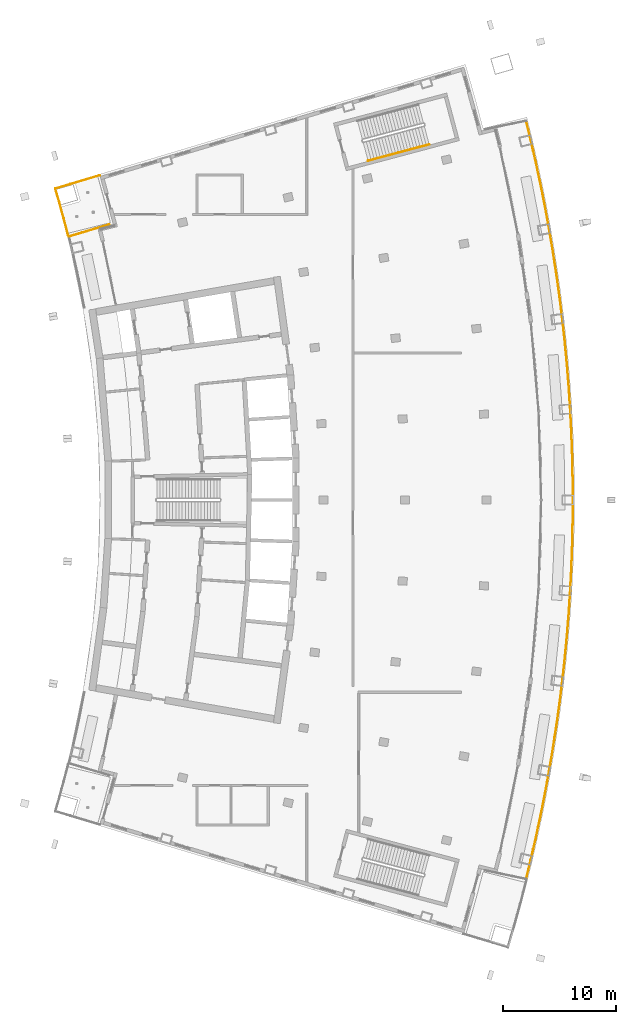
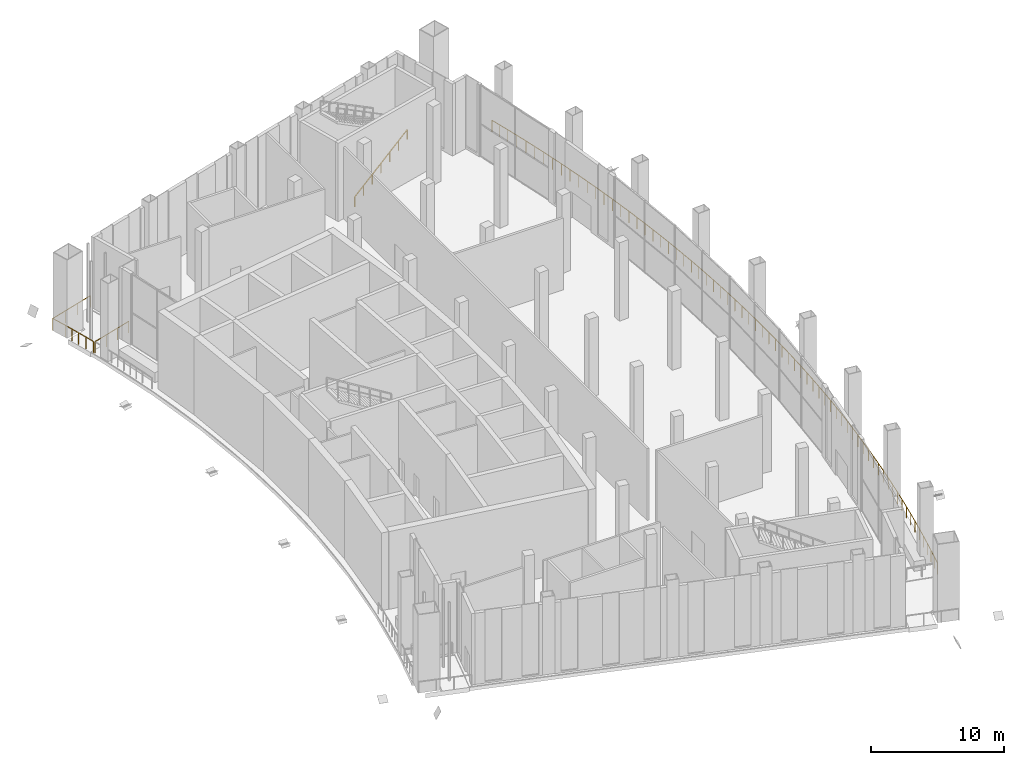
# One storey, part 22 of 24: 4 railings.
"""IFC4 building model written with IfcOpenShell, lengths in metres."""

from ifc_helpers import new_model, si_unit, direction, frame, origin, origin_2d, place, context, subcontext, project, spatial, rectangle, extrude, material, type_object, element, save


model = new_model("IFC4")

# Units and contexts
model_context = context("Model", 3, precision=1e-05, world=origin(), true_north=direction((0.0, 1.0)))
body_context = subcontext(model_context, "Body", "Model", "MODEL_VIEW")
ifc_project = project(units=[si_unit("LENGTHUNIT", "METRE"), si_unit("AREAUNIT", "SQUARE_METRE"), si_unit("VOLUMEUNIT", "CUBIC_METRE"), si_unit("PLANEANGLEUNIT", "RADIAN"), si_unit("MASSUNIT", "GRAM", prefix="KILO")], contexts=[model_context])

# Site, building, storey
site_placement = place(None, origin())
site = spatial("IfcSite", under=ifc_project, at=site_placement, CompositionType="ELEMENT")
building_placement = place(site_placement, origin())
building = spatial("IfcBuilding", under=site, at=building_placement, Name="Alderwake Tower", CompositionType="ELEMENT")
storey_placement = place(building_placement, frame((0.0, 0.0, 232.39990234375)))
storey = spatial("IfcBuildingStorey", under=building, at=storey_placement, Name="L58", CompositionType="ELEMENT", Elevation=232.39990234375)

# Railings
ifc_material_1 = material(Name="Stainless steel 316 rail and posts", Category="steel")
railing_type_1 = type_object("IfcRailingType", Name="Balcony guard 1100", PredefinedType="GUARDRAIL", material=ifc_material_1)
railing_1_placement = place(storey_placement, frame((13.210693359375, 84.387451171875, 0.0)))
element("IfcRailing", 1, at=railing_1_placement, inside=storey, type_object=railing_type_1, Name="Guard terrace RN", PredefinedType="GUARDRAIL", context=body_context, shape_type="SweptSolid", body=[
    extrude(rectangle(XDim=0.048095703125, YDim=0.048095703125, at=origin_2d()), frame((0.0, 0.0, 1.076171875), z_axis=(-0.251385381433, 0.967887075026, 0.0), x_axis=(-0.967887075026, -0.251385381433, 0.0)), (0.0, 0.0, 1.0), 1.6015625),
    extrude(rectangle(XDim=0.048095703125, YDim=0.048095703125, at=origin_2d()), frame((-0.402587890625, 1.550048828125, 1.076171875), z_axis=(-0.266520638672, 0.963829211615, 0.0), x_axis=(-0.963829211615, -0.266520638672, 0.0)), (0.0, 0.0, 1.0), 1.401611328125),
    extrude(rectangle(XDim=0.048095703125, YDim=0.048095703125, at=origin_2d()), frame((-0.776123046875, 2.90087890625, 1.076171875), z_axis=(-0.280093650878, 0.959972680204, 0.0), x_axis=(-0.959972680204, -0.280093650878, 0.0)), (0.0, 0.0, 1.0), 1.30126953125),
    extrude(rectangle(XDim=0.048095703125, YDim=0.048095703125, at=origin_2d()), frame((-1.140625, 4.150146484375, 1.076171875), z_axis=(0.958066871889, 0.286544706789, 0.0), x_axis=(-0.286544706789, 0.958066871889, 0.0)), (0.0, 0.0, 1.0), 4.099853515625),
    extrude(rectangle(XDim=0.0419921875, YDim=0.0419921875, at=origin_2d()), frame((0.0, 0.0, 0.0), z_axis=(0.0, 0.0, 1.0), x_axis=(-0.251385381433, 0.967887075026, 0.0)), (0.0, 0.0, 1.0), 1.052001953125),
    extrude(rectangle(XDim=0.0419921875, YDim=0.0419921875, at=origin_2d()), frame((-0.201171875, 0.77490234375, 0.0), z_axis=(0.0, 0.0, 1.0), x_axis=(-0.251385381433, 0.967887075026, 0.0)), (0.0, 0.0, 1.0), 1.052001953125),
    extrude(rectangle(XDim=0.0419921875, YDim=0.0419921875, at=origin_2d()), frame((-0.402587890625, 1.550048828125, 0.0), z_axis=(0.0, 0.0, 1.0), x_axis=(-0.266520638672, 0.963829211615, 0.0)), (0.0, 0.0, 1.0), 1.052001953125),
    extrude(rectangle(XDim=0.0419921875, YDim=0.0419921875, at=origin_2d()), frame((-0.58935546875, 2.2255859375, 0.0), z_axis=(0.0, 0.0, 1.0), x_axis=(-0.266520638672, 0.963829211615, 0.0)), (0.0, 0.0, 1.0), 1.052001953125),
    extrude(rectangle(XDim=0.0419921875, YDim=0.0419921875, at=origin_2d()), frame((-0.776123046875, 2.90087890625, 0.0), z_axis=(0.0, 0.0, 1.0), x_axis=(-0.280093650878, 0.959972680204, 0.0)), (0.0, 0.0, 1.0), 1.052001953125),
    extrude(rectangle(XDim=0.0419921875, YDim=0.0419921875, at=origin_2d()), frame((-1.140625, 4.150146484375, 0.0), z_axis=(0.0, 0.0, 1.0), x_axis=(0.958066871889, 0.286544706789, 0.0)), (0.0, 0.0, 1.0), 1.052001953125),
    extrude(rectangle(XDim=0.0419921875, YDim=0.0419921875, at=origin_2d()), frame((0.168701171875, 4.541748046875, 0.0), z_axis=(0.0, 0.0, 1.0), x_axis=(0.958066871889, 0.286544706789, 0.0)), (0.0, 0.0, 1.0), 1.052001953125),
    extrude(rectangle(XDim=0.0419921875, YDim=0.0419921875, at=origin_2d()), frame((1.47802734375, 4.933349609375, 0.0), z_axis=(0.0, 0.0, 1.0), x_axis=(0.958066871889, 0.286544706789, 0.0)), (0.0, 0.0, 1.0), 1.052001953125),
    extrude(rectangle(XDim=0.0419921875, YDim=0.0419921875, at=origin_2d()), frame((2.787353515625, 5.324951171875, 0.0), z_axis=(0.0, 0.0, 1.0), x_axis=(0.958066871889, 0.286544706789, 0.0)), (0.0, 0.0, 1.0), 1.052001953125),
])
railing_2_placement = place(storey_placement, frame((53.70849609375, 27.464599609375, 0.0)))
element("IfcRailing", 2, at=railing_2_placement, inside=storey, type_object=railing_type_1, Name="Guard garden terrace front", PredefinedType="GUARDRAIL", context=body_context, shape_type="SweptSolid", body=[
    extrude(rectangle(XDim=0.048095703125, YDim=0.048095703125, at=origin_2d()), frame((0.0, 0.0, 1.076171875), z_axis=(0.237360308119, 0.971421681933, 0.0), x_axis=(-0.971421681933, 0.237360308119, 0.0)), (0.0, 0.0, 1.0), 1.71044921875),
    extrude(rectangle(XDim=0.048095703125, YDim=0.048095703125, at=origin_2d()), frame((0.406005859375, 1.66162109375, 1.076171875), z_axis=(0.224087708157, 0.974568981167, 0.0), x_axis=(-0.974568981167, 0.224087708157, 0.0)), (0.0, 0.0, 1.0), 2.010009765625),
    extrude(rectangle(XDim=0.048095703125, YDim=0.048095703125, at=origin_2d()), frame((0.8564453125, 3.62060546875, 1.076171875), z_axis=(0.209852528827, 0.977733049531, 0.0), x_axis=(-0.977733049531, 0.209852528827, 0.0)), (0.0, 0.0, 1.0), 2.01025390625),
    extrude(rectangle(XDim=0.048095703125, YDim=0.048095703125, at=origin_2d()), frame((1.2783203125, 5.586181640625, 1.076171875), z_axis=(0.195649014062, 0.980673984205, 0.0), x_axis=(-0.980673984205, 0.195649014062, 0.0)), (0.0, 0.0, 1.0), 2.01025390625),
    extrude(rectangle(XDim=0.048095703125, YDim=0.048095703125, at=origin_2d()), frame((1.671630859375, 7.5576171875, 1.076171875), z_axis=(0.181310791531, 0.983425847166, 0.0), x_axis=(-0.983425847166, 0.181310791531, 0.0)), (0.0, 0.0, 1.0), 2.01025390625),
    extrude(rectangle(XDim=0.048095703125, YDim=0.048095703125, at=origin_2d()), frame((2.0361328125, 9.53466796875, 1.076171875), z_axis=(0.166880101956, 0.985977196273, 0.0), x_axis=(-0.985977196273, 0.166880101956, 0.0)), (0.0, 0.0, 1.0), 2.010009765625),
    extrude(rectangle(XDim=0.048095703125, YDim=0.048095703125, at=origin_2d()), frame((2.37158203125, 11.5166015625, 1.076171875), z_axis=(0.152531704818, 0.988298577873, 0.0), x_axis=(-0.988298577873, 0.152531704818, 0.0)), (0.0, 0.0, 1.0), 2.01025390625),
    extrude(rectangle(XDim=0.048095703125, YDim=0.048095703125, at=origin_2d()), frame((2.67822265625, 13.50341796875, 1.076171875), z_axis=(0.13808798299, 0.990419965951, 0.0), x_axis=(-0.990419965951, 0.13808798299, 0.0)), (0.0, 0.0, 1.0), 2.01025390625),
    extrude(rectangle(XDim=0.048095703125, YDim=0.048095703125, at=origin_2d()), frame((2.955810546875, 15.494384765625, 1.076171875), z_axis=(0.123616255353, 0.992330097, 0.0), x_axis=(-0.992330097, 0.123616255353, 0.0)), (0.0, 0.0, 1.0), 2.010498046875),
    extrude(rectangle(XDim=0.048095703125, YDim=0.048095703125, at=origin_2d()), frame((3.204345703125, 17.489501953125, 1.076171875), z_axis=(0.109191669313, 0.994020713744, 0.0), x_axis=(-0.994020713744, 0.109191669313, 0.0)), (0.0, 0.0, 1.0), 2.010009765625),
    extrude(rectangle(XDim=0.048095703125, YDim=0.048095703125, at=origin_2d()), frame((3.423828125, 19.487548828125, 1.076171875), z_axis=(0.094597058588, 0.995515643527, 0.0), x_axis=(-0.995515643527, 0.094597058588, 0.0)), (0.0, 0.0, 1.0), 2.010498046875),
    extrude(rectangle(XDim=0.048095703125, YDim=0.048095703125, at=origin_2d()), frame((3.614013671875, 21.489013671875, 1.076171875), z_axis=(0.080160363949, 0.9967819802, 0.0), x_axis=(-0.9967819802, 0.080160363949, 0.0)), (0.0, 0.0, 1.0), 2.010009765625),
    extrude(rectangle(XDim=0.048095703125, YDim=0.048095703125, at=origin_2d()), frame((3.775146484375, 23.49267578125, 1.076171875), z_axis=(0.065575963639, 0.997847580041, 0.0), x_axis=(-0.997847580041, 0.065575963639, 0.0)), (0.0, 0.0, 1.0), 2.010498046875),
    extrude(rectangle(XDim=0.048095703125, YDim=0.048095703125, at=origin_2d()), frame((3.906982421875, 25.498779296875, 1.076171875), z_axis=(0.051009756183, 0.998698154987, 0.0), x_axis=(-0.998698154987, 0.051009756183, 0.0)), (0.0, 0.0, 1.0), 2.01025390625),
    extrude(rectangle(XDim=0.048095703125, YDim=0.048095703125, at=origin_2d()), frame((4.009521484375, 27.50634765625, 1.076171875), z_axis=(0.036553510855, 0.999331697108, 0.0), x_axis=(-0.999331697108, 0.036553510855, 0.0)), (0.0, 0.0, 1.0), 2.010498046875),
    extrude(rectangle(XDim=0.048095703125, YDim=0.048095703125, at=origin_2d()), frame((4.0830078125, 29.515380859375, 1.076171875), z_axis=(0.021739273282, 0.999763674074, 0.0), x_axis=(-0.999763674074, 0.021739273282, 0.0)), (0.0, 0.0, 1.0), 2.01025390625),
    extrude(rectangle(XDim=0.048095703125, YDim=0.048095703125, at=origin_2d()), frame((4.126708984375, 31.525146484375, 1.076171875), z_axis=(0.007408103733, 0.999972559623, 0.0), x_axis=(-0.999972559623, 0.007408103733, 0.0)), (0.0, 0.0, 1.0), 2.01025390625),
    extrude(rectangle(XDim=0.048095703125, YDim=0.048095703125, at=origin_2d()), frame((4.1416015625, 33.535400390625, 1.076171875), z_axis=(-0.007408103733, 0.999972559623, 0.0), x_axis=(-0.999972559623, -0.007408103733, 0.0)), (0.0, 0.0, 1.0), 2.01025390625),
    extrude(rectangle(XDim=0.048095703125, YDim=0.048095703125, at=origin_2d()), frame((4.126708984375, 35.545654296875, 1.076171875), z_axis=(-0.021739273282, 0.999763674074, 0.0), x_axis=(-0.999763674074, -0.021739273282, 0.0)), (0.0, 0.0, 1.0), 2.01025390625),
    extrude(rectangle(XDim=0.048095703125, YDim=0.048095703125, at=origin_2d()), frame((4.0830078125, 37.555419921875, 1.076171875), z_axis=(-0.036553510855, 0.999331697108, 0.0), x_axis=(-0.999331697108, -0.036553510855, 0.0)), (0.0, 0.0, 1.0), 2.010498046875),
    extrude(rectangle(XDim=0.048095703125, YDim=0.048095703125, at=origin_2d()), frame((4.009521484375, 39.564453125, 1.076171875), z_axis=(-0.051009756183, 0.998698154987, 0.0), x_axis=(-0.998698154987, -0.051009756183, 0.0)), (0.0, 0.0, 1.0), 2.01025390625),
    extrude(rectangle(XDim=0.048095703125, YDim=0.048095703125, at=origin_2d()), frame((3.906982421875, 41.572021484375, 1.076171875), z_axis=(-0.065575963639, 0.997847580041, 0.0), x_axis=(-0.997847580041, -0.065575963639, 0.0)), (0.0, 0.0, 1.0), 2.010498046875),
    extrude(rectangle(XDim=0.048095703125, YDim=0.048095703125, at=origin_2d()), frame((3.775146484375, 43.578125, 1.076171875), z_axis=(-0.080160363949, 0.9967819802, 0.0), x_axis=(-0.9967819802, -0.080160363949, 0.0)), (0.0, 0.0, 1.0), 2.010009765625),
    extrude(rectangle(XDim=0.048095703125, YDim=0.048095703125, at=origin_2d()), frame((3.614013671875, 45.581787109375, 1.076171875), z_axis=(-0.094597058588, 0.995515643527, 0.0), x_axis=(-0.995515643527, -0.094597058588, 0.0)), (0.0, 0.0, 1.0), 2.010498046875),
    extrude(rectangle(XDim=0.048095703125, YDim=0.048095703125, at=origin_2d()), frame((3.423828125, 47.583251953125, 1.076171875), z_axis=(-0.109191669313, 0.994020713744, 0.0), x_axis=(-0.994020713744, -0.109191669313, 0.0)), (0.0, 0.0, 1.0), 2.010009765625),
    extrude(rectangle(XDim=0.048095703125, YDim=0.048095703125, at=origin_2d()), frame((3.204345703125, 49.581298828125, 1.076171875), z_axis=(-0.123616255353, 0.992330097, 0.0), x_axis=(-0.992330097, -0.123616255353, 0.0)), (0.0, 0.0, 1.0), 2.010498046875),
    extrude(rectangle(XDim=0.048095703125, YDim=0.048095703125, at=origin_2d()), frame((2.955810546875, 51.576416015625, 1.076171875), z_axis=(-0.13808798299, 0.990419965951, 0.0), x_axis=(-0.990419965951, -0.13808798299, 0.0)), (0.0, 0.0, 1.0), 2.01025390625),
    extrude(rectangle(XDim=0.048095703125, YDim=0.048095703125, at=origin_2d()), frame((2.67822265625, 53.5673828125, 1.076171875), z_axis=(-0.152531704818, 0.988298577873, 0.0), x_axis=(-0.988298577873, -0.152531704818, 0.0)), (0.0, 0.0, 1.0), 2.01025390625),
    extrude(rectangle(XDim=0.048095703125, YDim=0.048095703125, at=origin_2d()), frame((2.37158203125, 55.55419921875, 1.076171875), z_axis=(-0.166880101956, 0.985977196273, 0.0), x_axis=(-0.985977196273, -0.166880101956, 0.0)), (0.0, 0.0, 1.0), 2.010009765625),
    extrude(rectangle(XDim=0.048095703125, YDim=0.048095703125, at=origin_2d()), frame((2.0361328125, 57.5361328125, 1.076171875), z_axis=(-0.181310791531, 0.983425847166, 0.0), x_axis=(-0.983425847166, -0.181310791531, 0.0)), (0.0, 0.0, 1.0), 2.01025390625),
    extrude(rectangle(XDim=0.048095703125, YDim=0.048095703125, at=origin_2d()), frame((1.671630859375, 59.51318359375, 1.076171875), z_axis=(-0.195649014062, 0.980673984205, 0.0), x_axis=(-0.980673984205, -0.195649014062, 0.0)), (0.0, 0.0, 1.0), 2.01025390625),
    extrude(rectangle(XDim=0.048095703125, YDim=0.048095703125, at=origin_2d()), frame((1.2783203125, 61.484619140625, 1.076171875), z_axis=(-0.209852528827, 0.977733049531, 0.0), x_axis=(-0.977733049531, -0.209852528827, 0.0)), (0.0, 0.0, 1.0), 2.01025390625),
    extrude(rectangle(XDim=0.048095703125, YDim=0.048095703125, at=origin_2d()), frame((0.8564453125, 63.4501953125, 1.076171875), z_axis=(-0.224087708157, 0.974568981167, 0.0), x_axis=(-0.974568981167, -0.224087708157, 0.0)), (0.0, 0.0, 1.0), 2.010009765625),
    extrude(rectangle(XDim=0.048095703125, YDim=0.048095703125, at=origin_2d()), frame((0.406005859375, 65.4091796875, 1.076171875), z_axis=(-0.237360308119, 0.971421681933, 0.0), x_axis=(-0.971421681933, -0.237360308119, 0.0)), (0.0, 0.0, 1.0), 1.71044921875),
    extrude(rectangle(XDim=0.0419921875, YDim=0.0419921875, at=origin_2d()), frame((0.0, 0.0, 0.0), z_axis=(0.0, 0.0, 1.0), x_axis=(0.237360308119, 0.971421681933, 0.0)), (0.0, 0.0, 1.0), 1.052001953125),
    extrude(rectangle(XDim=0.0419921875, YDim=0.0419921875, at=origin_2d()), frame((0.203125, 0.830810546875, 0.0), z_axis=(0.0, 0.0, 1.0), x_axis=(0.237360308119, 0.971421681933, 0.0)), (0.0, 0.0, 1.0), 1.052001953125),
    extrude(rectangle(XDim=0.0419921875, YDim=0.0419921875, at=origin_2d()), frame((0.406005859375, 1.66162109375, 0.0), z_axis=(0.0, 0.0, 1.0), x_axis=(0.224087708157, 0.974568981167, 0.0)), (0.0, 0.0, 1.0), 1.052001953125),
    extrude(rectangle(XDim=0.0419921875, YDim=0.0419921875, at=origin_2d()), frame((0.63134765625, 2.64111328125, 0.0), z_axis=(0.0, 0.0, 1.0), x_axis=(0.224087708157, 0.974568981167, 0.0)), (0.0, 0.0, 1.0), 1.052001953125),
    extrude(rectangle(XDim=0.0419921875, YDim=0.0419921875, at=origin_2d()), frame((0.8564453125, 3.62060546875, 0.0), z_axis=(0.0, 0.0, 1.0), x_axis=(0.209852528827, 0.977733049531, 0.0)), (0.0, 0.0, 1.0), 1.052001953125),
    extrude(rectangle(XDim=0.0419921875, YDim=0.0419921875, at=origin_2d()), frame((1.0673828125, 4.603515625, 0.0), z_axis=(0.0, 0.0, 1.0), x_axis=(0.209852528827, 0.977733049531, 0.0)), (0.0, 0.0, 1.0), 1.052001953125),
    extrude(rectangle(XDim=0.0419921875, YDim=0.0419921875, at=origin_2d()), frame((1.2783203125, 5.586181640625, 0.0), z_axis=(0.0, 0.0, 1.0), x_axis=(0.195649014062, 0.980673984205, 0.0)), (0.0, 0.0, 1.0), 1.052001953125),
    extrude(rectangle(XDim=0.0419921875, YDim=0.0419921875, at=origin_2d()), frame((1.47509765625, 6.57177734375, 0.0), z_axis=(0.0, 0.0, 1.0), x_axis=(0.195649014062, 0.980673984205, 0.0)), (0.0, 0.0, 1.0), 1.052001953125),
    extrude(rectangle(XDim=0.0419921875, YDim=0.0419921875, at=origin_2d()), frame((1.671630859375, 7.5576171875, 0.0), z_axis=(0.0, 0.0, 1.0), x_axis=(0.181310791531, 0.983425847166, 0.0)), (0.0, 0.0, 1.0), 1.052001953125),
    extrude(rectangle(XDim=0.0419921875, YDim=0.0419921875, at=origin_2d()), frame((1.85400390625, 8.546142578125, 0.0), z_axis=(0.0, 0.0, 1.0), x_axis=(0.181310791531, 0.983425847166, 0.0)), (0.0, 0.0, 1.0), 1.052001953125),
    extrude(rectangle(XDim=0.0419921875, YDim=0.0419921875, at=origin_2d()), frame((2.0361328125, 9.53466796875, 0.0), z_axis=(0.0, 0.0, 1.0), x_axis=(0.166880101956, 0.985977196273, 0.0)), (0.0, 0.0, 1.0), 1.052001953125),
    extrude(rectangle(XDim=0.0419921875, YDim=0.0419921875, at=origin_2d()), frame((2.203857421875, 10.525634765625, 0.0), z_axis=(0.0, 0.0, 1.0), x_axis=(0.166880101956, 0.985977196273, 0.0)), (0.0, 0.0, 1.0), 1.052001953125),
    extrude(rectangle(XDim=0.0419921875, YDim=0.0419921875, at=origin_2d()), frame((2.37158203125, 11.5166015625, 0.0), z_axis=(0.0, 0.0, 1.0), x_axis=(0.152531704818, 0.988298577873, 0.0)), (0.0, 0.0, 1.0), 1.052001953125),
    extrude(rectangle(XDim=0.0419921875, YDim=0.0419921875, at=origin_2d()), frame((2.52490234375, 12.510009765625, 0.0), z_axis=(0.0, 0.0, 1.0), x_axis=(0.152531704818, 0.988298577873, 0.0)), (0.0, 0.0, 1.0), 1.052001953125),
    extrude(rectangle(XDim=0.0419921875, YDim=0.0419921875, at=origin_2d()), frame((2.67822265625, 13.50341796875, 0.0), z_axis=(0.0, 0.0, 1.0), x_axis=(0.13808798299, 0.990419965951, 0.0)), (0.0, 0.0, 1.0), 1.052001953125),
    extrude(rectangle(XDim=0.0419921875, YDim=0.0419921875, at=origin_2d()), frame((2.81689453125, 14.4990234375, 0.0), z_axis=(0.0, 0.0, 1.0), x_axis=(0.13808798299, 0.990419965951, 0.0)), (0.0, 0.0, 1.0), 1.052001953125),
    extrude(rectangle(XDim=0.0419921875, YDim=0.0419921875, at=origin_2d()), frame((2.955810546875, 15.494384765625, 0.0), z_axis=(0.0, 0.0, 1.0), x_axis=(0.123616255353, 0.992330097, 0.0)), (0.0, 0.0, 1.0), 1.052001953125),
    extrude(rectangle(XDim=0.0419921875, YDim=0.0419921875, at=origin_2d()), frame((3.080078125, 16.491943359375, 0.0), z_axis=(0.0, 0.0, 1.0), x_axis=(0.123616255353, 0.992330097, 0.0)), (0.0, 0.0, 1.0), 1.052001953125),
    extrude(rectangle(XDim=0.0419921875, YDim=0.0419921875, at=origin_2d()), frame((3.204345703125, 17.489501953125, 0.0), z_axis=(0.0, 0.0, 1.0), x_axis=(0.109191669313, 0.994020713744, 0.0)), (0.0, 0.0, 1.0), 1.052001953125),
    extrude(rectangle(XDim=0.0419921875, YDim=0.0419921875, at=origin_2d()), frame((3.31396484375, 18.488525390625, 0.0), z_axis=(0.0, 0.0, 1.0), x_axis=(0.109191669313, 0.994020713744, 0.0)), (0.0, 0.0, 1.0), 1.052001953125),
    extrude(rectangle(XDim=0.0419921875, YDim=0.0419921875, at=origin_2d()), frame((3.423828125, 19.487548828125, 0.0), z_axis=(0.0, 0.0, 1.0), x_axis=(0.094597058588, 0.995515643527, 0.0)), (0.0, 0.0, 1.0), 1.052001953125),
    extrude(rectangle(XDim=0.0419921875, YDim=0.0419921875, at=origin_2d()), frame((3.51904296875, 20.48828125, 0.0), z_axis=(0.0, 0.0, 1.0), x_axis=(0.094597058588, 0.995515643527, 0.0)), (0.0, 0.0, 1.0), 1.052001953125),
    extrude(rectangle(XDim=0.0419921875, YDim=0.0419921875, at=origin_2d()), frame((3.614013671875, 21.489013671875, 0.0), z_axis=(0.0, 0.0, 1.0), x_axis=(0.080160363949, 0.9967819802, 0.0)), (0.0, 0.0, 1.0), 1.052001953125),
    extrude(rectangle(XDim=0.0419921875, YDim=0.0419921875, at=origin_2d()), frame((3.694580078125, 22.49072265625, 0.0), z_axis=(0.0, 0.0, 1.0), x_axis=(0.080160363949, 0.9967819802, 0.0)), (0.0, 0.0, 1.0), 1.052001953125),
    extrude(rectangle(XDim=0.0419921875, YDim=0.0419921875, at=origin_2d()), frame((3.775146484375, 23.49267578125, 0.0), z_axis=(0.0, 0.0, 1.0), x_axis=(0.065575963639, 0.997847580041, 0.0)), (0.0, 0.0, 1.0), 1.052001953125),
    extrude(rectangle(XDim=0.0419921875, YDim=0.0419921875, at=origin_2d()), frame((3.841064453125, 24.49560546875, 0.0), z_axis=(0.0, 0.0, 1.0), x_axis=(0.065575963639, 0.997847580041, 0.0)), (0.0, 0.0, 1.0), 1.052001953125),
    extrude(rectangle(XDim=0.0419921875, YDim=0.0419921875, at=origin_2d()), frame((3.906982421875, 25.498779296875, 0.0), z_axis=(0.0, 0.0, 1.0), x_axis=(0.051009756183, 0.998698154987, 0.0)), (0.0, 0.0, 1.0), 1.052001953125),
    extrude(rectangle(XDim=0.0419921875, YDim=0.0419921875, at=origin_2d()), frame((3.958251953125, 26.50244140625, 0.0), z_axis=(0.0, 0.0, 1.0), x_axis=(0.051009756183, 0.998698154987, 0.0)), (0.0, 0.0, 1.0), 1.052001953125),
    extrude(rectangle(XDim=0.0419921875, YDim=0.0419921875, at=origin_2d()), frame((4.009521484375, 27.50634765625, 0.0), z_axis=(0.0, 0.0, 1.0), x_axis=(0.036553510855, 0.999331697108, 0.0)), (0.0, 0.0, 1.0), 1.052001953125),
    extrude(rectangle(XDim=0.0419921875, YDim=0.0419921875, at=origin_2d()), frame((4.04638671875, 28.5107421875, 0.0), z_axis=(0.0, 0.0, 1.0), x_axis=(0.036553510855, 0.999331697108, 0.0)), (0.0, 0.0, 1.0), 1.052001953125),
    extrude(rectangle(XDim=0.0419921875, YDim=0.0419921875, at=origin_2d()), frame((4.0830078125, 29.515380859375, 0.0), z_axis=(0.0, 0.0, 1.0), x_axis=(0.021739273282, 0.999763674074, 0.0)), (0.0, 0.0, 1.0), 1.052001953125),
    extrude(rectangle(XDim=0.0419921875, YDim=0.0419921875, at=origin_2d()), frame((4.10498046875, 30.520263671875, 0.0), z_axis=(0.0, 0.0, 1.0), x_axis=(0.021739273282, 0.999763674074, 0.0)), (0.0, 0.0, 1.0), 1.052001953125),
    extrude(rectangle(XDim=0.0419921875, YDim=0.0419921875, at=origin_2d()), frame((4.126708984375, 31.525146484375, 0.0), z_axis=(0.0, 0.0, 1.0), x_axis=(0.007408103733, 0.999972559623, 0.0)), (0.0, 0.0, 1.0), 1.052001953125),
    extrude(rectangle(XDim=0.0419921875, YDim=0.0419921875, at=origin_2d()), frame((4.13427734375, 32.5302734375, 0.0), z_axis=(0.0, 0.0, 1.0), x_axis=(0.007408103733, 0.999972559623, 0.0)), (0.0, 0.0, 1.0), 1.052001953125),
    extrude(rectangle(XDim=0.0419921875, YDim=0.0419921875, at=origin_2d()), frame((4.1416015625, 33.535400390625, 0.0), z_axis=(0.0, 0.0, 1.0), x_axis=(-0.007408103733, 0.999972559623, 0.0)), (0.0, 0.0, 1.0), 1.052001953125),
    extrude(rectangle(XDim=0.0419921875, YDim=0.0419921875, at=origin_2d()), frame((4.13427734375, 34.54052734375, 0.0), z_axis=(0.0, 0.0, 1.0), x_axis=(-0.007408103733, 0.999972559623, 0.0)), (0.0, 0.0, 1.0), 1.052001953125),
    extrude(rectangle(XDim=0.0419921875, YDim=0.0419921875, at=origin_2d()), frame((4.126708984375, 35.545654296875, 0.0), z_axis=(0.0, 0.0, 1.0), x_axis=(-0.021739273282, 0.999763674074, 0.0)), (0.0, 0.0, 1.0), 1.052001953125),
    extrude(rectangle(XDim=0.0419921875, YDim=0.0419921875, at=origin_2d()), frame((4.10498046875, 36.550537109375, 0.0), z_axis=(0.0, 0.0, 1.0), x_axis=(-0.021739273282, 0.999763674074, 0.0)), (0.0, 0.0, 1.0), 1.052001953125),
    extrude(rectangle(XDim=0.0419921875, YDim=0.0419921875, at=origin_2d()), frame((4.0830078125, 37.555419921875, 0.0), z_axis=(0.0, 0.0, 1.0), x_axis=(-0.036553510855, 0.999331697108, 0.0)), (0.0, 0.0, 1.0), 1.052001953125),
    extrude(rectangle(XDim=0.0419921875, YDim=0.0419921875, at=origin_2d()), frame((4.04638671875, 38.56005859375, 0.0), z_axis=(0.0, 0.0, 1.0), x_axis=(-0.036553510855, 0.999331697108, 0.0)), (0.0, 0.0, 1.0), 1.052001953125),
    extrude(rectangle(XDim=0.0419921875, YDim=0.0419921875, at=origin_2d()), frame((4.009521484375, 39.564453125, 0.0), z_axis=(0.0, 0.0, 1.0), x_axis=(-0.051009756183, 0.998698154987, 0.0)), (0.0, 0.0, 1.0), 1.052001953125),
    extrude(rectangle(XDim=0.0419921875, YDim=0.0419921875, at=origin_2d()), frame((3.958251953125, 40.568359375, 0.0), z_axis=(0.0, 0.0, 1.0), x_axis=(-0.051009756183, 0.998698154987, 0.0)), (0.0, 0.0, 1.0), 1.052001953125),
    extrude(rectangle(XDim=0.0419921875, YDim=0.0419921875, at=origin_2d()), frame((3.906982421875, 41.572021484375, 0.0), z_axis=(0.0, 0.0, 1.0), x_axis=(-0.065575963639, 0.997847580041, 0.0)), (0.0, 0.0, 1.0), 1.052001953125),
    extrude(rectangle(XDim=0.0419921875, YDim=0.0419921875, at=origin_2d()), frame((3.841064453125, 42.5751953125, 0.0), z_axis=(0.0, 0.0, 1.0), x_axis=(-0.065575963639, 0.997847580041, 0.0)), (0.0, 0.0, 1.0), 1.052001953125),
    extrude(rectangle(XDim=0.0419921875, YDim=0.0419921875, at=origin_2d()), frame((3.775146484375, 43.578125, 0.0), z_axis=(0.0, 0.0, 1.0), x_axis=(-0.080160363949, 0.9967819802, 0.0)), (0.0, 0.0, 1.0), 1.052001953125),
    extrude(rectangle(XDim=0.0419921875, YDim=0.0419921875, at=origin_2d()), frame((3.694580078125, 44.580078125, 0.0), z_axis=(0.0, 0.0, 1.0), x_axis=(-0.080160363949, 0.9967819802, 0.0)), (0.0, 0.0, 1.0), 1.052001953125),
    extrude(rectangle(XDim=0.0419921875, YDim=0.0419921875, at=origin_2d()), frame((3.614013671875, 45.581787109375, 0.0), z_axis=(0.0, 0.0, 1.0), x_axis=(-0.094597058588, 0.995515643527, 0.0)), (0.0, 0.0, 1.0), 1.052001953125),
    extrude(rectangle(XDim=0.0419921875, YDim=0.0419921875, at=origin_2d()), frame((3.51904296875, 46.58251953125, 0.0), z_axis=(0.0, 0.0, 1.0), x_axis=(-0.094597058588, 0.995515643527, 0.0)), (0.0, 0.0, 1.0), 1.052001953125),
    extrude(rectangle(XDim=0.0419921875, YDim=0.0419921875, at=origin_2d()), frame((3.423828125, 47.583251953125, 0.0), z_axis=(0.0, 0.0, 1.0), x_axis=(-0.109191669313, 0.994020713744, 0.0)), (0.0, 0.0, 1.0), 1.052001953125),
    extrude(rectangle(XDim=0.0419921875, YDim=0.0419921875, at=origin_2d()), frame((3.31396484375, 48.582275390625, 0.0), z_axis=(0.0, 0.0, 1.0), x_axis=(-0.109191669313, 0.994020713744, 0.0)), (0.0, 0.0, 1.0), 1.052001953125),
    extrude(rectangle(XDim=0.0419921875, YDim=0.0419921875, at=origin_2d()), frame((3.204345703125, 49.581298828125, 0.0), z_axis=(0.0, 0.0, 1.0), x_axis=(-0.123616255353, 0.992330097, 0.0)), (0.0, 0.0, 1.0), 1.052001953125),
    extrude(rectangle(XDim=0.0419921875, YDim=0.0419921875, at=origin_2d()), frame((3.080078125, 50.578857421875, 0.0), z_axis=(0.0, 0.0, 1.0), x_axis=(-0.123616255353, 0.992330097, 0.0)), (0.0, 0.0, 1.0), 1.052001953125),
    extrude(rectangle(XDim=0.0419921875, YDim=0.0419921875, at=origin_2d()), frame((2.955810546875, 51.576416015625, 0.0), z_axis=(0.0, 0.0, 1.0), x_axis=(-0.13808798299, 0.990419965951, 0.0)), (0.0, 0.0, 1.0), 1.052001953125),
    extrude(rectangle(XDim=0.0419921875, YDim=0.0419921875, at=origin_2d()), frame((2.81689453125, 52.57177734375, 0.0), z_axis=(0.0, 0.0, 1.0), x_axis=(-0.13808798299, 0.990419965951, 0.0)), (0.0, 0.0, 1.0), 1.052001953125),
    extrude(rectangle(XDim=0.0419921875, YDim=0.0419921875, at=origin_2d()), frame((2.67822265625, 53.5673828125, 0.0), z_axis=(0.0, 0.0, 1.0), x_axis=(-0.152531704818, 0.988298577873, 0.0)), (0.0, 0.0, 1.0), 1.052001953125),
    extrude(rectangle(XDim=0.0419921875, YDim=0.0419921875, at=origin_2d()), frame((2.52490234375, 54.560791015625, 0.0), z_axis=(0.0, 0.0, 1.0), x_axis=(-0.152531704818, 0.988298577873, 0.0)), (0.0, 0.0, 1.0), 1.052001953125),
    extrude(rectangle(XDim=0.0419921875, YDim=0.0419921875, at=origin_2d()), frame((2.37158203125, 55.55419921875, 0.0), z_axis=(0.0, 0.0, 1.0), x_axis=(-0.166880101956, 0.985977196273, 0.0)), (0.0, 0.0, 1.0), 1.052001953125),
    extrude(rectangle(XDim=0.0419921875, YDim=0.0419921875, at=origin_2d()), frame((2.203857421875, 56.545166015625, 0.0), z_axis=(0.0, 0.0, 1.0), x_axis=(-0.166880101956, 0.985977196273, 0.0)), (0.0, 0.0, 1.0), 1.052001953125),
    extrude(rectangle(XDim=0.0419921875, YDim=0.0419921875, at=origin_2d()), frame((2.0361328125, 57.5361328125, 0.0), z_axis=(0.0, 0.0, 1.0), x_axis=(-0.181310791531, 0.983425847166, 0.0)), (0.0, 0.0, 1.0), 1.052001953125),
    extrude(rectangle(XDim=0.0419921875, YDim=0.0419921875, at=origin_2d()), frame((1.85400390625, 58.524658203125, 0.0), z_axis=(0.0, 0.0, 1.0), x_axis=(-0.181310791531, 0.983425847166, 0.0)), (0.0, 0.0, 1.0), 1.052001953125),
    extrude(rectangle(XDim=0.0419921875, YDim=0.0419921875, at=origin_2d()), frame((1.671630859375, 59.51318359375, 0.0), z_axis=(0.0, 0.0, 1.0), x_axis=(-0.195649014062, 0.980673984205, 0.0)), (0.0, 0.0, 1.0), 1.052001953125),
    extrude(rectangle(XDim=0.0419921875, YDim=0.0419921875, at=origin_2d()), frame((1.47509765625, 60.4990234375, 0.0), z_axis=(0.0, 0.0, 1.0), x_axis=(-0.195649014062, 0.980673984205, 0.0)), (0.0, 0.0, 1.0), 1.052001953125),
    extrude(rectangle(XDim=0.0419921875, YDim=0.0419921875, at=origin_2d()), frame((1.2783203125, 61.484619140625, 0.0), z_axis=(0.0, 0.0, 1.0), x_axis=(-0.209852528827, 0.977733049531, 0.0)), (0.0, 0.0, 1.0), 1.052001953125),
    extrude(rectangle(XDim=0.0419921875, YDim=0.0419921875, at=origin_2d()), frame((1.0673828125, 62.46728515625, 0.0), z_axis=(0.0, 0.0, 1.0), x_axis=(-0.209852528827, 0.977733049531, 0.0)), (0.0, 0.0, 1.0), 1.052001953125),
    extrude(rectangle(XDim=0.0419921875, YDim=0.0419921875, at=origin_2d()), frame((0.8564453125, 63.4501953125, 0.0), z_axis=(0.0, 0.0, 1.0), x_axis=(-0.224087708157, 0.974568981167, 0.0)), (0.0, 0.0, 1.0), 1.052001953125),
    extrude(rectangle(XDim=0.0419921875, YDim=0.0419921875, at=origin_2d()), frame((0.63134765625, 64.4296875, 0.0), z_axis=(0.0, 0.0, 1.0), x_axis=(-0.224087708157, 0.974568981167, 0.0)), (0.0, 0.0, 1.0), 1.052001953125),
    extrude(rectangle(XDim=0.0419921875, YDim=0.0419921875, at=origin_2d()), frame((0.406005859375, 65.4091796875, 0.0), z_axis=(0.0, 0.0, 1.0), x_axis=(-0.237360308119, 0.971421681933, 0.0)), (0.0, 0.0, 1.0), 1.052001953125),
    extrude(rectangle(XDim=0.0419921875, YDim=0.0419921875, at=origin_2d()), frame((0.203125, 66.239990234375, 0.0), z_axis=(0.0, 0.0, 1.0), x_axis=(-0.237360308119, 0.971421681933, 0.0)), (0.0, 0.0, 1.0), 1.052001953125),
    extrude(rectangle(XDim=0.0419921875, YDim=0.0419921875, at=origin_2d()), frame((0.0, 67.07080078125, 0.0), z_axis=(0.0, 0.0, 1.0), x_axis=(-0.237360308119, 0.971421681933, 0.0)), (0.0, 0.0, 1.0), 1.052001953125),
])
railing_3_placement = place(storey_placement, frame((13.283447265625, 84.302734375, 0.0)))
element("IfcRailing", 3, at=railing_3_placement, inside=storey, type_object=railing_type_1, Name="Guard garden terrace rear end", PredefinedType="GUARDRAIL", context=body_context, shape_type="SweptSolid", body=[
    extrude(rectangle(XDim=0.048095703125, YDim=0.048095703125, at=origin_2d()), frame((0.0, 0.0, 1.076171875), z_axis=(0.958690974733, 0.284449670355, 0.0), x_axis=(-0.284449670355, 0.958690974733, 0.0)), (0.0, 0.0, 1.0), 3.70361328125),
    extrude(rectangle(XDim=0.0419921875, YDim=0.0419921875, at=origin_2d()), frame((0.0, 0.0, 0.0), z_axis=(0.0, 0.0, 1.0), x_axis=(0.958690974733, 0.284449670355, 0.0)), (0.0, 0.0, 1.0), 1.052001953125),
    extrude(rectangle(XDim=0.0419921875, YDim=0.0419921875, at=origin_2d()), frame((1.18359375, 0.35107421875, 0.0), z_axis=(0.0, 0.0, 1.0), x_axis=(0.958690974733, 0.284449670355, 0.0)), (0.0, 0.0, 1.0), 1.052001953125),
    extrude(rectangle(XDim=0.0419921875, YDim=0.0419921875, at=origin_2d()), frame((2.366943359375, 0.702392578125, 0.0), z_axis=(0.0, 0.0, 1.0), x_axis=(0.958690974733, 0.284449670355, 0.0)), (0.0, 0.0, 1.0), 1.052001953125),
    extrude(rectangle(XDim=0.0419921875, YDim=0.0419921875, at=origin_2d()), frame((3.550537109375, 1.053466796875, 0.0), z_axis=(0.0, 0.0, 1.0), x_axis=(0.958690974733, 0.284449670355, 0.0)), (0.0, 0.0, 1.0), 1.052001953125),
])
ifc_material_2 = material(Name="Stainless steel handrail", Category="steel")
railing_type_2 = type_object("IfcRailingType", Name="Stair handrail 900", PredefinedType="HANDRAIL", material=ifc_material_2)
railing_4_placement = place(storey_placement, frame((39.731689453125, 91.002685546875, 0.171630859375)))
element("IfcRailing", 4, at=railing_4_placement, inside=storey, type_object=railing_type_2, Name="L58 ST-A stair handrail 1", PredefinedType="HANDRAIL", context=body_context, shape_type="SweptSolid", body=[
    extrude(rectangle(XDim=0.048095703125, YDim=0.048095703125, at=origin_2d()), frame((0.0, 0.0, 0.8759765625), z_axis=(0.82413232745, 0.219483560972, 0.522142579489), x_axis=(-0.257350586944, 0.966318102593, 0.0)), (0.0, 0.0, 1.0), 6.566162109375),
    extrude(rectangle(XDim=0.0419921875, YDim=0.0419921875, at=origin_2d()), frame((0.0, 0.0, 0.0), z_axis=(0.0, 0.0, 1.0), x_axis=(0.966318102593, 0.257350586944, 0.0)), (0.0, 0.0, 1.0), 0.851806640625),
    extrude(rectangle(XDim=0.0419921875, YDim=0.0419921875, at=origin_2d()), frame((0.90185546875, 0.240234375, 0.5712890625), z_axis=(0.0, 0.0, 1.0), x_axis=(0.966318102593, 0.257350586944, 0.0)), (0.0, 0.0, 1.0), 0.851806640625),
    extrude(rectangle(XDim=0.0419921875, YDim=0.0419921875, at=origin_2d()), frame((1.8037109375, 0.48046875, 1.142822265625), z_axis=(0.0, 0.0, 1.0), x_axis=(0.966318102593, 0.257350586944, 0.0)), (0.0, 0.0, 1.0), 0.851806640625),
    extrude(rectangle(XDim=0.0419921875, YDim=0.0419921875, at=origin_2d()), frame((2.70556640625, 0.720703125, 1.71435546875), z_axis=(0.0, 0.0, 1.0), x_axis=(0.966318102593, 0.257350586944, 0.0)), (0.0, 0.0, 1.0), 0.851806640625),
    extrude(rectangle(XDim=0.0419921875, YDim=0.0419921875, at=origin_2d()), frame((3.607666015625, 0.960693359375, 2.28564453125), z_axis=(0.0, 0.0, 1.0), x_axis=(0.966318102593, 0.257350586944, 0.0)), (0.0, 0.0, 1.0), 0.851806640625),
    extrude(rectangle(XDim=0.0419921875, YDim=0.0419921875, at=origin_2d()), frame((4.509521484375, 1.200927734375, 2.85693359375), z_axis=(0.0, 0.0, 1.0), x_axis=(0.966318102593, 0.257350586944, 0.0)), (0.0, 0.0, 1.0), 0.851806640625),
    extrude(rectangle(XDim=0.0419921875, YDim=0.0419921875, at=origin_2d()), frame((5.411376953125, 1.441162109375, 3.428466796875), z_axis=(0.0, 0.0, 1.0), x_axis=(0.966318102593, 0.257350586944, 0.0)), (0.0, 0.0, 1.0), 0.851806640625),
])

save(model, "model.ifc")
